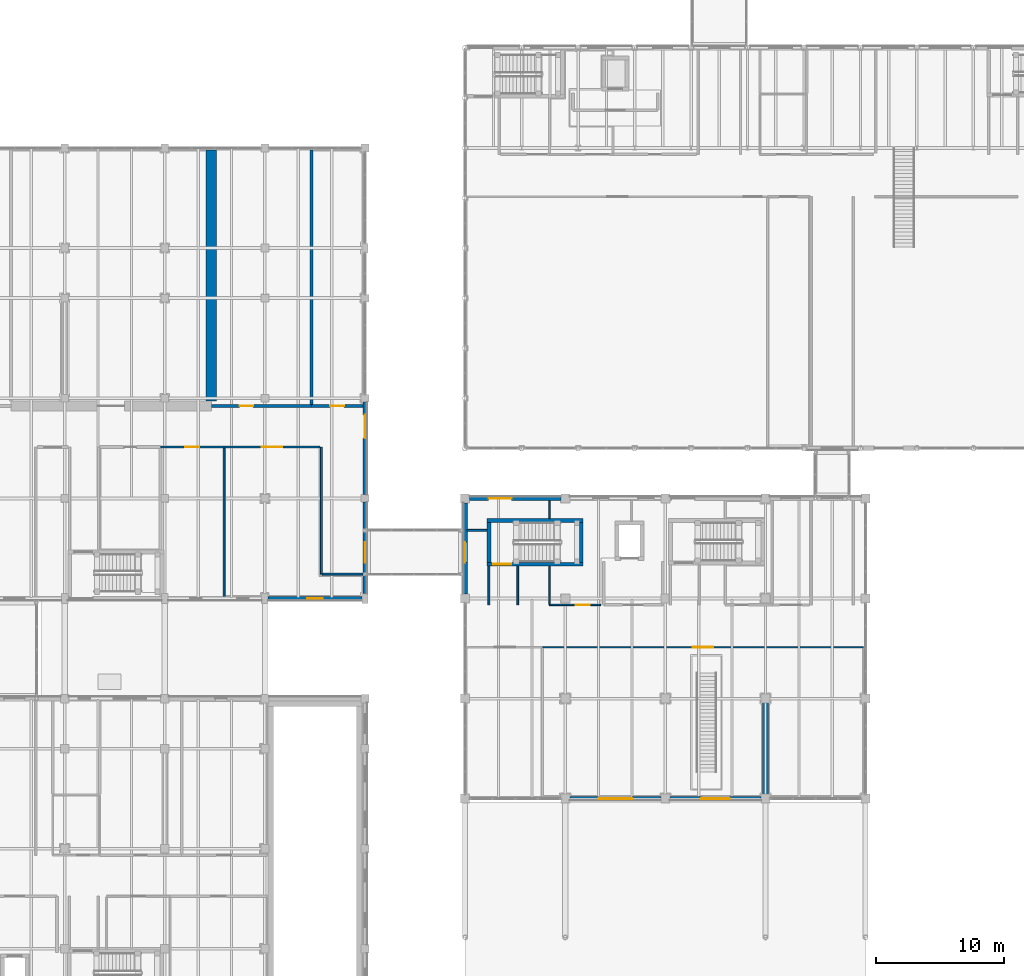
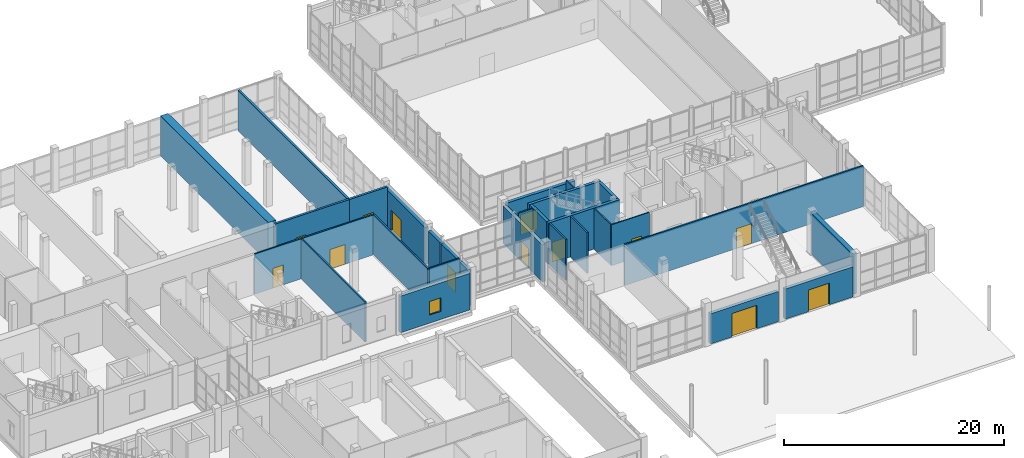
# One storey, part 95 of 131: 30 walls, 13 doors, 1 window, 14 openings.
"""IFC4 building model written with IfcOpenShell, lengths in metres."""

from ifc_helpers import new_model, si_unit, direction, frame, frame_2d, origin, place, context, subcontext, project, spatial, rectangle, extrude, material, layer, layer_set, type_object, element, fill, save


model = new_model("IFC4")

# Units and contexts
model_context = context("Model", 3, precision=1e-05, world=origin(), true_north=direction((0.0, 1.0)))
body_context = subcontext(model_context, "Body", "Model", "MODEL_VIEW")
ifc_project = project(units=[si_unit("LENGTHUNIT", "METRE"), si_unit("AREAUNIT", "SQUARE_METRE"), si_unit("VOLUMEUNIT", "CUBIC_METRE"), si_unit("PLANEANGLEUNIT", "RADIAN"), si_unit("MASSUNIT", "GRAM", prefix="KILO")], contexts=[model_context])

# Site, building, storey
site_placement = place(None, origin())
site = spatial("IfcSite", under=ifc_project, at=site_placement, CompositionType="ELEMENT")
building_placement = place(site_placement, origin())
building = spatial("IfcBuilding", under=site, at=building_placement, Name="Celorna Specialist Clinic", CompositionType="ELEMENT")
storey_placement = place(building_placement, origin())
storey = spatial("IfcBuildingStorey", under=building, at=storey_placement, Name="L00", CompositionType="ELEMENT", Elevation=0.0)

# Walls
ifc_material_1 = material(Name="Concrete C40/50", Category="concrete")
ifc_layer_1 = layer(ifc_material_1, 0.800048828125, Name="Concrete C40/50")
ifc_layer_set_1 = layer_set([ifc_layer_1], Name="Concrete C40/50")
wall_type_1 = type_object("IfcWallType", Name="WT-02", PredefinedType="SOLIDWALL", material=ifc_layer_set_1)
wall_1_placement = place(storey_placement, frame((34.820068359375, 50.5, 0.0), z_axis=(0.0, 0.0, 1.0), x_axis=(0.0, 1.0, 0.0)))
element("IfcWall", 1, at=wall_1_placement, inside=storey, type_object=wall_type_1, Name="Room dividing partition WT-02 L00-034", PredefinedType="SOLIDWALL", context=body_context, shape_type="SweptSolid", body=[
    extrude(rectangle(XDim=19.530029296875, YDim=0.800048828125, at=frame_2d((9.76513671875, 0.0))), origin(), (0.0, 0.0, 1.0), 4.4599609375),
])
ifc_layer_2 = layer(ifc_material_1, 0.449951171875, Name="Concrete C40/50")
ifc_layer_set_2 = layer_set([ifc_layer_2], Name="Concrete C40/50")
wall_type_2 = type_object("IfcWallType", Name="WT-04", PredefinedType="SHEAR", material=ifc_layer_set_2)
wall_2_placement = place(storey_placement, frame((78.0, 19.64990234375, 0.0), z_axis=(0.0, 0.0, 1.0), x_axis=(0.0, 1.0, 0.0)))
element("IfcWall", 2, at=wall_2_placement, inside=storey, type_object=wall_type_2, Name="Structural RC shear wall WT-04 V6 L00", PredefinedType="SHEAR", context=body_context, shape_type="SweptSolid", body=[
    extrude(rectangle(XDim=7.5, YDim=0.449951171875, at=frame_2d((3.75, 0.0))), origin(), (0.0, 0.0, 1.0), 4.5400390625),
])

# Wall, opening, window
ifc_material_2 = material(Name="Pero Pinheiro Lioz limestone insulated masonry", Category="masonry")
ifc_layer_3 = layer(ifc_material_2, 0.340087890625, Name="Pero Pinheiro Lioz limestone insulated masonry")
ifc_layer_set_3 = layer_set([ifc_layer_3], Name="Pero Pinheiro Lioz limestone insulated masonry")
wall_type_3 = type_object("IfcWallType", Name="WT-07", PredefinedType="STANDARD", material=ifc_layer_set_3)
wall_3_placement = place(storey_placement, frame((46.550048828125, 35.10009765625, 0.0), z_axis=(0.0, 0.0, 1.0), x_axis=(-1.0, 0.0, 0.0)))
wall_3 = element("IfcWall", 3, at=wall_3_placement, inside=storey, type_object=wall_type_3, Name="External facade wall WT-07 #107", PredefinedType="STANDARD", context=body_context, shape_type="SweptSolid", body=[
    extrude(rectangle(XDim=7.300048828125, YDim=0.340087890625, at=frame_2d((3.64990234375, 0.0))), origin(), (0.0, 0.0, 1.0), 4.06005859375),
])
opening_1_placement = place(wall_3_placement, frame((3.050048828125, 0.0, 0.89990234375)))
opening_1 = element("IfcOpeningElement", 4, at=opening_1_placement, cuts=wall_3, Name="Opening WN-04", PredefinedType="OPENING", context=body_context, shape_type="SweptSolid", body=[
    extrude(rectangle(XDim=1.199951171875, YDim=1.5, at=frame_2d((0.60009765625, 0.75))), frame((0.0, 0.179931640625, 0.0), z_axis=(0.0, -1.0, 0.0), x_axis=(1.0, 0.0, 0.0)), (0.0, 0.0, 1.0), 0.360107421875),
])
ifc_material_3 = material(Name="Thermally broken aluminium triple-glazed window", Category="aluminium")
window_type = type_object("IfcWindowType", Name="WN-04", PartitioningType="SINGLE_PANEL", PredefinedType="WINDOW", material=ifc_material_3)
window_placement = place(opening_1_placement, origin())
window = element("IfcWindow", 5, at=window_placement, inside=storey, type_object=window_type, Name="Facade window WN-04 #23", OverallHeight=1.5, OverallWidth=1.199951171875, PartitioningType="SINGLE_PANEL", PredefinedType="WINDOW", context=body_context, shape_type="SweptSolid", body=[
    extrude(rectangle(XDim=1.199951171875, YDim=1.5, at=frame_2d((0.60009765625, 0.75))), frame((0.0, 0.030029296875, 0.0), z_axis=(0.0, -1.0, 0.0), x_axis=(1.0, 0.0, 0.0)), (0.0, 0.0, 1.0), 0.06005859375),
])
fill(opening_1, window)

# Wall
wall_4_placement = place(storey_placement, frame((46.800048828125, 42.60009765625, 0.0), z_axis=(0.0, 0.0, 1.0), x_axis=(0.0, -1.0, 0.0)))
element("IfcWall", 6, at=wall_4_placement, inside=storey, type_object=wall_type_3, Name="External facade wall WT-07 #113", PredefinedType="STANDARD", context=body_context, shape_type="SweptSolid", body=[
    extrude(rectangle(XDim=2.10009765625, YDim=0.340087890625, at=frame_2d((1.050048828125, 0.0))), origin(), (0.0, 0.0, 1.0), 4.06005859375),
])

# Wall, opening, door
wall_5_placement = place(storey_placement, frame((46.800048828125, 40.300048828125, 0.0), z_axis=(0.0, 0.0, 1.0), x_axis=(0.0, -1.0, 0.0)))
wall_5 = element("IfcWall", 7, at=wall_5_placement, inside=storey, type_object=wall_type_3, Name="External facade wall WT-07 #114", PredefinedType="STANDARD", context=body_context, shape_type="SweptSolid", body=[
    extrude(rectangle(XDim=3.199951171875, YDim=0.340087890625, at=frame_2d((1.60009765625, 0.0))), origin(), (0.0, 0.0, 1.0), 4.06005859375),
])
opening_2_placement = place(wall_5_placement, frame((0.800048828125, 0.0, 0.0)))
opening_2 = element("IfcOpeningElement", 8, at=opening_2_placement, cuts=wall_5, Name="Opening DR-12", PredefinedType="OPENING", context=body_context, shape_type="SweptSolid", body=[
    extrude(rectangle(XDim=1.60009765625, YDim=2.199951171875, at=frame_2d((0.800048828125, 1.10009765625))), frame((0.0, 0.179931640625, 0.0), z_axis=(0.0, -1.0, 0.0), x_axis=(1.0, 0.0, 0.0)), (0.0, 0.0, 1.0), 0.360107421875),
])
ifc_material_4 = material(Name="Corridor cross-compartment pair door")
door_type_1 = type_object("IfcDoorType", Name="DR-12", OperationType="DOUBLE_DOOR_SINGLE_SWING", PredefinedType="DOOR", material=ifc_material_4)
door_1_placement = place(opening_2_placement, origin())
door_1 = element("IfcDoor", 9, at=door_1_placement, inside=storey, type_object=door_type_1, Name="Bridge BR-02 south/west portal door L00", OperationType="DOUBLE_DOOR_SINGLE_SWING", OverallHeight=2.199951171875, OverallWidth=1.60009765625, PredefinedType="DOOR", context=body_context, shape_type="SweptSolid", body=[
    extrude(rectangle(XDim=1.60009765625, YDim=2.199951171875, at=frame_2d((0.800048828125, 1.10009765625))), frame((0.0, 0.02490234375, 0.0), z_axis=(0.0, -1.0, 0.0), x_axis=(1.0, 0.0, 0.0)), (0.0, 0.0, 1.0), 0.050048828125),
])
fill(opening_2, door_1)

# Wall
wall_6_placement = place(storey_placement, frame((46.800048828125, 36.89990234375, 0.0), z_axis=(0.0, 0.0, 1.0), x_axis=(0.0, -1.0, 0.0)))
element("IfcWall", 10, at=wall_6_placement, inside=storey, type_object=wall_type_3, Name="External facade wall WT-07 #115", PredefinedType="STANDARD", context=body_context, shape_type="SweptSolid", body=[
    extrude(rectangle(XDim=1.4248046875, YDim=0.340087890625, at=frame_2d((0.71240234375, 0.0))), origin(), (0.0, 0.0, 1.0), 4.06005859375),
])

# Wall, opening, door
wall_7_placement = place(storey_placement, frame((46.800048828125, 50.39990234375, 0.0), z_axis=(0.0, 0.0, 1.0), x_axis=(0.0, -1.0, 0.0)))
wall_7 = element("IfcWall", 11, at=wall_7_placement, inside=storey, type_object=wall_type_3, Name="External facade wall WT-07 #116", PredefinedType="STANDARD", context=body_context, shape_type="SweptSolid", body=[
    extrude(rectangle(XDim=7.199951171875, YDim=0.340087890625, at=frame_2d((3.60009765625, 0.0))), origin(), (0.0, 0.0, 1.0), 4.06005859375),
])
opening_3_placement = place(wall_7_placement, frame((1.0, 0.0, 0.0)))
opening_3 = element("IfcOpeningElement", 12, at=opening_3_placement, cuts=wall_7, Name="Opening DR-14", PredefinedType="OPENING", context=body_context, shape_type="SweptSolid", body=[
    extrude(rectangle(XDim=1.800048828125, YDim=2.25, at=frame_2d((0.89990234375, 1.125))), frame((0.0, 0.179931640625, 0.0), z_axis=(0.0, -1.0, 0.0), x_axis=(1.0, 0.0, 0.0)), (0.0, 0.0, 1.0), 0.360107421875),
])
ifc_material_5 = material(Name="Glazed aluminium final exit double door", Category="aluminium")
door_type_2 = type_object("IfcDoorType", Name="DR-14", OperationType="DOUBLE_DOOR_SINGLE_SWING", PredefinedType="DOOR", material=ifc_material_5)
door_2_placement = place(opening_3_placement, origin())
door_2 = element("IfcDoor", 13, at=door_2_placement, inside=storey, type_object=door_type_2, Name="Imaging cloister entrance E19", OperationType="DOUBLE_DOOR_SINGLE_SWING", OverallHeight=2.25, OverallWidth=1.800048828125, PredefinedType="DOOR", context=body_context, shape_type="SweptSolid", body=[
    extrude(rectangle(XDim=1.800048828125, YDim=2.25, at=frame_2d((0.89990234375, 1.125))), frame((0.0, 0.02490234375, 0.0), z_axis=(0.0, -1.0, 0.0), x_axis=(1.0, 0.0, 0.0)), (0.0, 0.0, 1.0), 0.050048828125),
])
fill(opening_3, door_2)

wall_8_placement = place(storey_placement, frame((69.85009765625, 19.5, 0.0), z_axis=(0.0, 0.0, 1.0), x_axis=(-1.0, 0.0, 0.0)))
wall_8 = element("IfcWall", 14, at=wall_8_placement, inside=storey, type_object=wall_type_3, Name="External facade wall WT-07 #378", PredefinedType="STANDARD", context=body_context, shape_type="SweptSolid", body=[
    extrude(rectangle(XDim=7.10009765625, YDim=0.340087890625, at=frame_2d((3.550048828125, 0.0))), origin(), (0.0, 0.0, 1.0), 3.35009765625),
])
opening_4_placement = place(wall_8_placement, frame((2.25, 0.0, 0.0)))
opening_4 = element("IfcOpeningElement", 15, at=opening_4_placement, cuts=wall_8, Name="Opening DR-16", PredefinedType="OPENING", context=body_context, shape_type="SweptSolid", body=[
    extrude(rectangle(XDim=2.60009765625, YDim=2.60009765625, at=frame_2d((1.300048828125, 1.300048828125))), frame((0.0, 0.179931640625, 0.0), z_axis=(0.0, -1.0, 0.0), x_axis=(1.0, 0.0, 0.0)), (0.0, 0.0, 1.0), 0.360107421875),
])
ifc_material_6 = material(Name="Boulevard main entrance glazed double door")
door_type_3 = type_object("IfcDoorType", Name="DR-16", OperationType="DOUBLE_DOOR_SINGLE_SWING", PredefinedType="DOOR", material=ifc_material_6)
door_3_placement = place(opening_4_placement, origin())
door_3 = element("IfcDoor", 16, at=door_3_placement, inside=storey, type_object=door_type_3, Name="Main entrance E14", OperationType="DOUBLE_DOOR_SINGLE_SWING", OverallHeight=2.60009765625, OverallWidth=2.60009765625, PredefinedType="DOOR", context=body_context, shape_type="SweptSolid", body=[
    extrude(rectangle(XDim=2.60009765625, YDim=2.60009765625, at=frame_2d((1.300048828125, 1.300048828125))), frame((0.0, 0.02490234375, 0.0), z_axis=(0.0, -1.0, 0.0), x_axis=(1.0, 0.0, 0.0)), (0.0, 0.0, 1.0), 0.050048828125),
])
fill(opening_4, door_3)

wall_9_placement = place(storey_placement, frame((77.64990234375, 19.5, 0.0), z_axis=(0.0, 0.0, 1.0), x_axis=(-1.0, 0.0, 0.0)))
wall_9 = element("IfcWall", 17, at=wall_9_placement, inside=storey, type_object=wall_type_3, Name="External facade wall WT-07 #379", PredefinedType="STANDARD", context=body_context, shape_type="SweptSolid", body=[
    extrude(rectangle(XDim=7.099853515625, YDim=0.340087890625, at=frame_2d((3.5498046875, 0.0))), origin(), (0.0, 0.0, 1.0), 3.35009765625),
])
opening_5_placement = place(wall_9_placement, frame((2.449951171875, 0.0, 0.0)))
opening_5 = element("IfcOpeningElement", 18, at=opening_5_placement, cuts=wall_9, Name="Opening DR-15", PredefinedType="OPENING", context=body_context, shape_type="SweptSolid", body=[
    extrude(rectangle(XDim=2.199951171875, YDim=2.39990234375, at=frame_2d((1.10009765625, 1.199951171875))), frame((0.0, 0.179931640625, 0.0), z_axis=(0.0, -1.0, 0.0), x_axis=(1.0, 0.0, 0.0)), (0.0, 0.0, 1.0), 0.360107421875),
])
ifc_material_7 = material(Name="Cloister entrance glazed double door")
door_type_4 = type_object("IfcDoorType", Name="DR-15", OperationType="DOUBLE_DOOR_SINGLE_SWING", PredefinedType="DOOR", material=ifc_material_7)
door_4_placement = place(opening_5_placement, origin())
door_4 = element("IfcDoor", 19, at=door_4_placement, inside=storey, type_object=door_type_4, Name="Main entrance E15", OperationType="DOUBLE_DOOR_SINGLE_SWING", OverallHeight=2.39990234375, OverallWidth=2.199951171875, PredefinedType="DOOR", context=body_context, shape_type="SweptSolid", body=[
    extrude(rectangle(XDim=2.199951171875, YDim=2.39990234375, at=frame_2d((1.10009765625, 1.199951171875))), frame((0.0, 0.02490234375, 0.0), z_axis=(0.0, -1.0, 0.0), x_axis=(1.0, 0.0, 0.0)), (0.0, 0.0, 1.0), 0.050048828125),
])
fill(opening_5, door_4)

wall_10_placement = place(storey_placement, frame((54.949951171875, 42.89990234375, 0.0), z_axis=(0.0, 0.0, 1.0), x_axis=(1.0, 0.0, 0.0)))
wall_10 = element("IfcWall", 20, at=wall_10_placement, inside=storey, type_object=wall_type_3, Name="External facade wall WT-07 #380", PredefinedType="STANDARD", context=body_context, shape_type="SweptSolid", body=[
    extrude(rectangle(XDim=7.10009765625, YDim=0.340087890625, at=frame_2d((3.550048828125, 0.0))), origin(), (0.0, 0.0, 1.0), 4.139892578125),
])
opening_6_placement = place(wall_10_placement, frame((1.469970703125, 0.0, 0.0)))
opening_6 = element("IfcOpeningElement", 21, at=opening_6_placement, cuts=wall_10, Name="Opening DR-14", PredefinedType="OPENING", context=body_context, shape_type="SweptSolid", body=[
    extrude(rectangle(XDim=1.800048828125, YDim=2.25, at=frame_2d((0.89990234375, 1.125))), frame((0.0, 0.179931640625, 0.0), z_axis=(0.0, -1.0, 0.0), x_axis=(1.0, 0.0, 0.0)), (0.0, 0.0, 1.0), 0.360107421875),
])
door_5_placement = place(opening_6_placement, origin())
door_5 = element("IfcDoor", 22, at=door_5_placement, inside=storey, type_object=door_type_2, Name="Pedestrian final exit E08", OperationType="DOUBLE_DOOR_SINGLE_SWING", OverallHeight=2.25, OverallWidth=1.800048828125, PredefinedType="DOOR", context=body_context, shape_type="SweptSolid", body=[
    extrude(rectangle(XDim=1.800048828125, YDim=2.25, at=frame_2d((0.89990234375, 1.125))), frame((0.0, 0.02490234375, 0.0), z_axis=(0.0, -1.0, 0.0), x_axis=(1.0, 0.0, 0.0)), (0.0, 0.0, 1.0), 0.050048828125),
])
fill(opening_6, door_5)

wall_11_placement = place(storey_placement, frame((54.60009765625, 35.449951171875, 0.0), z_axis=(0.0, 0.0, 1.0), x_axis=(0.0, 1.0, 0.0)))
wall_11 = element("IfcWall", 23, at=wall_11_placement, inside=storey, type_object=wall_type_3, Name="External facade wall WT-07 #386", PredefinedType="STANDARD", context=body_context, shape_type="SweptSolid", body=[
    extrude(rectangle(XDim=7.10009765625, YDim=0.340087890625, at=frame_2d((3.550048828125, 0.0))), origin(), (0.0, 0.0, 1.0), 4.139892578125),
])
opening_7_placement = place(wall_11_placement, frame((2.449951171875, 0.0, 0.0)))
opening_7 = element("IfcOpeningElement", 24, at=opening_7_placement, cuts=wall_11, Name="Opening DR-12", PredefinedType="OPENING", context=body_context, shape_type="SweptSolid", body=[
    extrude(rectangle(XDim=1.60009765625, YDim=2.199951171875, at=frame_2d((0.800048828125, 1.10009765625))), frame((0.0, 0.179931640625, 0.0), z_axis=(0.0, -1.0, 0.0), x_axis=(1.0, 0.0, 0.0)), (0.0, 0.0, 1.0), 0.360107421875),
])
door_6_placement = place(opening_7_placement, frame((1.60009765625, 0.0, 0.0), z_axis=(0.0, 0.0, 1.0), x_axis=(-1.0, 0.0, 0.0)))
door_6 = element("IfcDoor", 25, at=door_6_placement, inside=storey, type_object=door_type_1, Name="Bridge BR-02 north/east portal door L00", OperationType="DOUBLE_DOOR_SINGLE_SWING", OverallHeight=2.199951171875, OverallWidth=1.60009765625, PredefinedType="DOOR", context=body_context, shape_type="SweptSolid", body=[
    extrude(rectangle(XDim=1.60009765625, YDim=2.199951171875, at=frame_2d((0.800048828125, 1.10009765625))), frame((0.0, 0.02490234375, 0.0), z_axis=(0.0, -1.0, 0.0), x_axis=(1.0, 0.0, 0.0)), (0.0, 0.0, 1.0), 0.050048828125),
])
fill(opening_7, door_6)

ifc_material_8 = material(Name="Concrete C35/45", Category="concrete")
ifc_layer_4 = layer(ifc_material_8, 0.300048828125, Name="Concrete C35/45")
ifc_layer_set_4 = layer_set([ifc_layer_4], Name="Concrete C35/45")
wall_type_4 = type_object("IfcWallType", Name="WT-08", PredefinedType="SHEAR", material=ifc_layer_set_4)
wall_12_placement = place(storey_placement, frame((56.300048828125, 37.77001953125, 0.0), z_axis=(0.0, 0.0, 1.0), x_axis=(1.0, 0.0, 0.0)))
wall_12 = element("IfcWall", 26, at=wall_12_placement, inside=storey, type_object=wall_type_4, Name="Stair ST-08 RC core wall L00 south", PredefinedType="SHEAR", context=body_context, shape_type="SweptSolid", body=[
    extrude(rectangle(XDim=7.5, YDim=0.300048828125, at=frame_2d((3.75, 0.0))), origin(), (0.0, 0.0, 1.0), 4.5400390625),
])
opening_8_placement = place(wall_12_placement, frame((0.5, 0.0, 0.0)))
opening_8 = element("IfcOpeningElement", 27, at=opening_8_placement, cuts=wall_12, Name="Opening DR-10", PredefinedType="OPENING", context=body_context, shape_type="SweptSolid", body=[
    extrude(rectangle(XDim=1.39990234375, YDim=2.199951171875, at=frame_2d((0.699951171875, 1.10009765625))), frame((0.0, 0.159912109375, 0.0), z_axis=(0.0, -1.0, 0.0), x_axis=(1.0, 0.0, 0.0)), (0.0, 0.0, 1.0), 0.320068359375),
])
ifc_material_9 = material(Name="Protected exit stair fire door")
door_type_5 = type_object("IfcDoorType", Name="DR-10", OperationType="NOTDEFINED", PredefinedType="DOOR", material=ifc_material_9)
door_7_placement = place(opening_8_placement, origin())
door_7 = element("IfcDoor", 28, at=door_7_placement, inside=storey, type_object=door_type_5, Name="Protected exit stair door ST-08 L00", OperationType="SINGLE_SWING_LEFT", OverallHeight=2.199951171875, OverallWidth=1.39990234375, PredefinedType="DOOR", context=body_context, shape_type="SweptSolid", body=[
    extrude(rectangle(XDim=1.39990234375, YDim=2.199951171875, at=frame_2d((0.699951171875, 1.10009765625))), frame((0.0, 0.02490234375, 0.0), z_axis=(0.0, -1.0, 0.0), x_axis=(1.0, 0.0, 0.0)), (0.0, 0.0, 1.0), 0.050048828125),
])
fill(opening_8, door_7)

# Walls
wall_13_placement = place(storey_placement, frame((63.800048828125, 41.169921875, 0.0), z_axis=(0.0, 0.0, 1.0), x_axis=(-1.0, 0.0, 0.0)))
element("IfcWall", 29, at=wall_13_placement, inside=storey, type_object=wall_type_4, Name="Stair ST-08 RC core wall L00 north", PredefinedType="SHEAR", context=body_context, shape_type="SweptSolid", body=[
    extrude(rectangle(XDim=7.5, YDim=0.300048828125, at=frame_2d((3.75, 0.0))), origin(), (0.0, 0.0, 1.0), 4.5400390625),
])
for number, where, z_axis, x_axis, name in (
    (30, (56.449951171875, 41.02001953125, 0.0), (0.0, 0.0, 1.0), (0.0, -1.0, 0.0), "Stair ST-08 RC core wall L00 west"),
    (31, (63.64990234375, 37.919921875, 0.0), (0.0, 0.0, 1.0), (0.0, 1.0, 0.0), "Stair ST-08 RC core wall L00 east"),
):
    element("IfcWall", number, at=place(storey_placement, frame(where, z_axis=z_axis, x_axis=x_axis)), inside=storey, type_object=wall_type_4, Name=name, PredefinedType="SHEAR", context=body_context, shape_type="SweptSolid", body=[
        extrude(rectangle(XDim=3.10009765625, YDim=0.300048828125, at=frame_2d((1.550048828125, 0.0))), origin(), (0.0, 0.0, 1.0), 4.5400390625),
    ])

# Wall, opening, door
ifc_material_10 = material(Name="Lead-lined gypsum and masonry partition", Category="masonry")
ifc_layer_5 = layer(ifc_material_10, 0.219970703125, Name="Lead-lined gypsum and masonry partition")
ifc_layer_set_5 = layer_set([ifc_layer_5], Name="Lead-lined gypsum and masonry partition")
wall_type_5 = type_object("IfcWallType", Name="WT-11", PredefinedType="PARTITIONING", material=ifc_layer_set_5)
wall_14_placement = place(storey_placement, frame((34.820068359375, 50.10009765625, 0.0), z_axis=(0.0, 0.0, 1.0), x_axis=(1.0, 0.0, 0.0)))
wall_14 = element("IfcWall", 32, at=wall_14_placement, inside=storey, type_object=wall_type_5, Name="Interior partition WT-11 L00-035", PredefinedType="PARTITIONING", context=body_context, shape_type="SweptSolid", body=[
    extrude(rectangle(XDim=7.800048828125, YDim=0.219970703125, at=frame_2d((3.89990234375, 0.0))), origin(), (0.0, 0.0, 1.0), 4.4599609375),
])
opening_9_placement = place(wall_14_placement, frame((2.205078125, 0.0, 0.0)))
opening_9 = element("IfcOpeningElement", 33, at=opening_9_placement, cuts=wall_14, Name="Opening DR-05", PredefinedType="OPENING", context=body_context, shape_type="SweptSolid", body=[
    extrude(rectangle(XDim=1.050048828125, YDim=2.14990234375, at=frame_2d((0.52490234375, 1.074951171875))), frame((0.0, 0.119873046875, 0.0), z_axis=(0.0, -1.0, 0.0), x_axis=(1.0, 0.0, 0.0)), (0.0, 0.0, 1.0), 0.239990234375),
])
ifc_material_11 = material(Name="Timber examination room door", Category="wood")
door_type_6 = type_object("IfcDoorType", Name="DR-05", OperationType="NOTDEFINED", PredefinedType="DOOR", material=ifc_material_11)
door_8_placement = place(opening_9_placement, origin())
door_8 = element("IfcDoor", 34, at=door_8_placement, inside=storey, type_object=door_type_6, Name="CT Diagnostic Imaging Suite door L00-035", OperationType="SINGLE_SWING_RIGHT", OverallHeight=2.14990234375, OverallWidth=1.050048828125, PredefinedType="DOOR", context=body_context, shape_type="SweptSolid", body=[
    extrude(rectangle(XDim=1.050048828125, YDim=2.14990234375, at=frame_2d((0.52490234375, 1.074951171875))), frame((0.0, 0.02490234375, 0.0), z_axis=(0.0, -1.0, 0.0), x_axis=(1.0, 0.0, 0.0)), (0.0, 0.0, 1.0), 0.050048828125),
])
fill(opening_9, door_8)

wall_15_placement = place(storey_placement, frame((42.6201171875, 50.10009765625, 0.0), z_axis=(0.0, 0.0, 1.0), x_axis=(1.0, 0.0, 0.0)))
wall_15 = element("IfcWall", 35, at=wall_15_placement, inside=storey, type_object=wall_type_5, Name="Interior partition WT-11 L00-036", PredefinedType="PARTITIONING", context=body_context, shape_type="SweptSolid", body=[
    extrude(rectangle(XDim=4.009765625, YDim=0.219970703125, at=frame_2d((2.0048828125, 0.0))), origin(), (0.0, 0.0, 1.0), 4.4599609375),
])
opening_10_placement = place(wall_15_placement, frame((1.455078125, 0.0, 0.0)))
opening_10 = element("IfcOpeningElement", 36, at=opening_10_placement, cuts=wall_15, Name="Opening DR-06", PredefinedType="OPENING", context=body_context, shape_type="SweptSolid", body=[
    extrude(rectangle(XDim=1.10009765625, YDim=2.14990234375, at=frame_2d((0.550048828125, 1.074951171875))), frame((0.0, 0.119873046875, 0.0), z_axis=(0.0, -1.0, 0.0), x_axis=(1.0, 0.0, 0.0)), (0.0, 0.0, 1.0), 0.239990234375),
])
ifc_material_12 = material(Name="Clinical treatment suite door")
door_type_7 = type_object("IfcDoorType", Name="DR-06", OperationType="NOTDEFINED", PredefinedType="DOOR", material=ifc_material_12)
door_9_placement = place(opening_10_placement, origin())
door_9 = element("IfcDoor", 37, at=door_9_placement, inside=storey, type_object=door_type_7, Name="Imaging Control and Reporting Room door L00-036", OperationType="SINGLE_SWING_LEFT", OverallHeight=2.14990234375, OverallWidth=1.10009765625, PredefinedType="DOOR", context=body_context, shape_type="SweptSolid", body=[
    extrude(rectangle(XDim=1.10009765625, YDim=2.14990234375, at=frame_2d((0.550048828125, 1.074951171875))), frame((0.0, 0.02490234375, 0.0), z_axis=(0.0, -1.0, 0.0), x_axis=(1.0, 0.0, 0.0)), (0.0, 0.0, 1.0), 0.050048828125),
])
fill(opening_10, door_9)

# Walls
wall_16_placement = place(storey_placement, frame((42.6201171875, 50.2099609375, 0.0), z_axis=(0.0, 0.0, 1.0), x_axis=(0.0, 1.0, 0.0)))
element("IfcWall", 38, at=wall_16_placement, inside=storey, type_object=wall_type_5, Name="Room dividing partition WT-11 L00-035", PredefinedType="PARTITIONING", context=body_context, shape_type="SweptSolid", body=[
    extrude(rectangle(XDim=19.820068359375, YDim=0.219970703125, at=frame_2d((9.91015625, 0.0))), origin(), (0.0, 0.0, 1.0), 4.4599609375),
])
ifc_material_13 = material(Name="Fire-rated gypsum board partition")
ifc_layer_6 = layer(ifc_material_13, 0.14990234375, Name="Fire-rated gypsum board partition")
ifc_layer_set_6 = layer_set([ifc_layer_6], Name="Fire-rated gypsum board partition")
wall_type_6 = type_object("IfcWallType", Name="WT-14", PredefinedType="PARTITIONING", material=ifc_layer_set_6)
wall_17_placement = place(storey_placement, frame((43.39990234375, 37.0, 0.0), z_axis=(0.0, 0.0, 1.0), x_axis=(0.0, 1.0, 0.0)))
element("IfcWall", 39, at=wall_17_placement, inside=storey, type_object=wall_type_6, Name="Corridor spur partition WT-14", PredefinedType="PARTITIONING", context=body_context, shape_type="SweptSolid", body=[
    extrude(rectangle(XDim=9.89990234375, YDim=0.14990234375, at=frame_2d((4.949951171875, 0.0))), origin(), (0.0, 0.0, 1.0), 4.4599609375),
])
wall_18_placement = place(storey_placement, frame((43.47509765625, 37.0, 0.0), z_axis=(0.0, 0.0, 1.0), x_axis=(1.0, 0.0, 0.0)))
element("IfcWall", 40, at=wall_18_placement, inside=storey, type_object=wall_type_6, Name="Corridor spur partition WT-14", PredefinedType="PARTITIONING", context=body_context, shape_type="SweptSolid", body=[
    extrude(rectangle(XDim=3.15478515625, YDim=0.14990234375, at=frame_2d((1.577392578125, 0.0))), origin(), (0.0, 0.0, 1.0), 4.4599609375),
])
for number, where, z_axis, x_axis, name in (
    (41, (56.449951171875, 34.60009765625, 0.0), (0.0, 0.0, 1.0), (0.0, 1.0, 0.0), "Corridor spur partition WT-14"),
    (42, (58.699951171875, 34.60009765625, 0.0), (0.0, 0.0, 1.0), (0.0, 1.0, 0.0), "Corridor spur partition WT-14"),
):
    element("IfcWall", number, at=place(storey_placement, frame(where, z_axis=z_axis, x_axis=x_axis)), inside=storey, type_object=wall_type_6, Name=name, PredefinedType="PARTITIONING", context=body_context, shape_type="SweptSolid", body=[
        extrude(rectangle(XDim=3.02001953125, YDim=0.14990234375, at=frame_2d((1.510009765625, 0.0))), origin(), (0.0, 0.0, 1.0), 4.5400390625),
    ])
wall_19_placement = place(storey_placement, frame((54.77001953125, 40.39990234375, 0.0), z_axis=(0.0, 0.0, 1.0), x_axis=(1.0, 0.0, 0.0)))
element("IfcWall", 43, at=wall_19_placement, inside=storey, type_object=wall_type_6, Name="Corridor spur partition WT-14", PredefinedType="PARTITIONING", context=body_context, shape_type="SweptSolid", body=[
    extrude(rectangle(XDim=1.530029296875, YDim=0.14990234375, at=frame_2d((0.76513671875, 0.0))), origin(), (0.0, 0.0, 1.0), 4.5400390625),
])

# Wall, opening, door
wall_20_placement = place(storey_placement, frame((35.820068359375, 46.89990234375, 0.0), z_axis=(0.0, 0.0, 1.0), x_axis=(-1.0, 0.0, 0.0)))
wall_20 = element("IfcWall", 44, at=wall_20_placement, inside=storey, type_object=wall_type_6, Name="Interior partition WT-14 L00-029", PredefinedType="PARTITIONING", context=body_context, shape_type="SweptSolid", body=[
    extrude(rectangle(XDim=4.949951171875, YDim=0.14990234375, at=frame_2d((2.47509765625, 0.0))), origin(), (0.0, 0.0, 1.0), 4.4599609375),
])
opening_11_placement = place(wall_20_placement, frame((1.93505859375, 0.0, 0.0)))
opening_11 = element("IfcOpeningElement", 45, at=opening_11_placement, cuts=wall_20, Name="Opening DR-21", PredefinedType="OPENING", context=body_context, shape_type="SweptSolid", body=[
    extrude(rectangle(XDim=1.080078125, YDim=2.199951171875, at=frame_2d((0.5400390625, 1.10009765625))), frame((0.0, 0.0849609375, 0.0), z_axis=(0.0, -1.0, 0.0), x_axis=(1.0, 0.0, 0.0)), (0.0, 0.0, 1.0), 0.169921875),
])
ifc_material_14 = material(Name="Timber outpatient suite door", Category="wood")
door_type_8 = type_object("IfcDoorType", Name="DR-21", OperationType="NOTDEFINED", PredefinedType="DOOR", material=ifc_material_14)
door_10_placement = place(opening_11_placement, origin())
door_10 = element("IfcDoor", 46, at=door_10_placement, inside=storey, type_object=door_type_8, Name="Patient Cannulation Preparation Room door L00-029", OperationType="SINGLE_SWING_RIGHT", OverallHeight=2.199951171875, OverallWidth=1.080078125, PredefinedType="DOOR", context=body_context, shape_type="SweptSolid", body=[
    extrude(rectangle(XDim=1.080078125, YDim=2.199951171875, at=frame_2d((0.5400390625, 1.10009765625))), frame((0.0, 0.02490234375, 0.0), z_axis=(0.0, -1.0, 0.0), x_axis=(1.0, 0.0, 0.0)), (0.0, 0.0, 1.0), 0.050048828125),
])
fill(opening_11, door_10)

wall_21_placement = place(storey_placement, frame((43.280029296875, 46.89990234375, 0.0), z_axis=(0.0, 0.0, 1.0), x_axis=(-1.0, 0.0, 0.0)))
wall_21 = element("IfcWall", 47, at=wall_21_placement, inside=storey, type_object=wall_type_6, Name="Interior partition WT-14 L00-030", PredefinedType="PARTITIONING", context=body_context, shape_type="SweptSolid", body=[
    extrude(rectangle(XDim=7.4599609375, YDim=0.14990234375, at=frame_2d((3.72998046875, 0.0))), origin(), (0.0, 0.0, 1.0), 4.4599609375),
])
opening_12_placement = place(wall_21_placement, frame((2.93505859375, 0.0, 0.0)))
opening_12 = element("IfcOpeningElement", 48, at=opening_12_placement, cuts=wall_21, Name="Opening DR-12", PredefinedType="OPENING", context=body_context, shape_type="SweptSolid", body=[
    extrude(rectangle(XDim=1.60009765625, YDim=2.199951171875, at=frame_2d((0.800048828125, 1.10009765625))), frame((0.0, 0.0849609375, 0.0), z_axis=(0.0, -1.0, 0.0), x_axis=(1.0, 0.0, 0.0)), (0.0, 0.0, 1.0), 0.169921875),
])
door_11_placement = place(opening_12_placement, origin())
door_11 = element("IfcDoor", 49, at=door_11_placement, inside=storey, type_object=door_type_1, Name="Radiology Sub-Waiting Lounge door L00-030", OperationType="DOUBLE_DOOR_SINGLE_SWING", OverallHeight=2.199951171875, OverallWidth=1.60009765625, PredefinedType="DOOR", context=body_context, shape_type="SweptSolid", body=[
    extrude(rectangle(XDim=1.60009765625, YDim=2.199951171875, at=frame_2d((0.800048828125, 1.10009765625))), frame((0.0, 0.02490234375, 0.0), z_axis=(0.0, -1.0, 0.0), x_axis=(1.0, 0.0, 0.0)), (0.0, 0.0, 1.0), 0.050048828125),
])
fill(opening_12, door_11)

wall_22_placement = place(storey_placement, frame((85.6298828125, 31.300048828125, 0.0), z_axis=(0.0, 0.0, 1.0), x_axis=(-1.0, 0.0, 0.0)))
wall_22 = element("IfcWall", 50, at=wall_22_placement, inside=storey, type_object=wall_type_6, Name="Interior partition WT-14 L00-103", PredefinedType="PARTITIONING", context=body_context, shape_type="SweptSolid", body=[
    extrude(rectangle(XDim=25.009765625, YDim=0.14990234375, at=frame_2d((12.5048828125, 0.0))), origin(), (0.0, 0.0, 1.0), 4.5400390625),
])
opening_13_placement = place(wall_22_placement, frame((11.705078125, 0.0, 0.0)))
opening_13 = element("IfcOpeningElement", 51, at=opening_13_placement, cuts=wall_22, Name="Opening DR-12", PredefinedType="OPENING", context=body_context, shape_type="SweptSolid", body=[
    extrude(rectangle(XDim=1.60009765625, YDim=2.199951171875, at=frame_2d((0.800048828125, 1.10009765625))), frame((0.0, 0.0849609375, 0.0), z_axis=(0.0, -1.0, 0.0), x_axis=(1.0, 0.0, 0.0)), (0.0, 0.0, 1.0), 0.169921875),
])
door_12_placement = place(opening_13_placement, origin())
door_12 = element("IfcDoor", 52, at=door_12_placement, inside=storey, type_object=door_type_1, Name="Patient Admissions and Reception Hall door L00-103", OperationType="DOUBLE_DOOR_SINGLE_SWING", OverallHeight=2.199951171875, OverallWidth=1.60009765625, PredefinedType="DOOR", context=body_context, shape_type="SweptSolid", body=[
    extrude(rectangle(XDim=1.60009765625, YDim=2.199951171875, at=frame_2d((0.800048828125, 1.10009765625))), frame((0.0, 0.02490234375, 0.0), z_axis=(0.0, -1.0, 0.0), x_axis=(1.0, 0.0, 0.0)), (0.0, 0.0, 1.0), 0.050048828125),
])
fill(opening_13, door_12)

# Wall
wall_23_placement = place(storey_placement, frame((35.820068359375, 35.27001953125, 0.0), z_axis=(0.0, 0.0, 1.0), x_axis=(0.0, 1.0, 0.0)))
element("IfcWall", 53, at=wall_23_placement, inside=storey, type_object=wall_type_6, Name="Room dividing partition WT-14 L00-029", PredefinedType="PARTITIONING", context=body_context, shape_type="SweptSolid", body=[
    extrude(rectangle(XDim=11.554931640625, YDim=0.14990234375, at=frame_2d((5.77734375, 0.0))), origin(), (0.0, 0.0, 1.0), 4.4599609375),
])

# Wall, opening, door
ifc_material_15 = material(Name="Acoustic gypsum board partition")
ifc_layer_7 = layer(ifc_material_15, 0.1201171875, Name="Acoustic gypsum board partition")
ifc_layer_set_7 = layer_set([ifc_layer_7], Name="Acoustic gypsum board partition")
wall_type_7 = type_object("IfcWallType", Name="WT-15", PredefinedType="PARTITIONING", material=ifc_layer_set_7)
wall_24_placement = place(storey_placement, frame((61.169921875, 34.60009765625, 0.0), z_axis=(0.0, 0.0, 1.0), x_axis=(1.0, 0.0, 0.0)))
wall_24 = element("IfcWall", 54, at=wall_24_placement, inside=storey, type_object=wall_type_7, Name="Interior partition WT-15 L00-104", PredefinedType="PARTITIONING", context=body_context, shape_type="SweptSolid", body=[
    extrude(rectangle(XDim=3.97998046875, YDim=0.1201171875, at=frame_2d((1.989990234375, 0.0))), origin(), (0.0, 0.0, 1.0), 4.5400390625),
])
opening_14_placement = place(wall_24_placement, frame((2.06005859375, 0.0, 0.0)))
opening_14 = element("IfcOpeningElement", 55, at=opening_14_placement, cuts=wall_24, Name="Opening DR-21", PredefinedType="OPENING", context=body_context, shape_type="SweptSolid", body=[
    extrude(rectangle(XDim=1.080078125, YDim=2.199951171875, at=frame_2d((0.5400390625, 1.10009765625))), frame((0.0, 0.070068359375, 0.0), z_axis=(0.0, -1.0, 0.0), x_axis=(1.0, 0.0, 0.0)), (0.0, 0.0, 1.0), 0.14013671875),
])
door_13_placement = place(opening_14_placement, origin())
door_13 = element("IfcDoor", 56, at=door_13_placement, inside=storey, type_object=door_type_8, Name="Patient Financial Liaison Room door L00-104", OperationType="SINGLE_SWING_RIGHT", OverallHeight=2.199951171875, OverallWidth=1.080078125, PredefinedType="DOOR", context=body_context, shape_type="SweptSolid", body=[
    extrude(rectangle(XDim=1.080078125, YDim=2.199951171875, at=frame_2d((0.5400390625, 1.10009765625))), frame((0.0, 0.02490234375, 0.0), z_axis=(0.0, -1.0, 0.0), x_axis=(1.0, 0.0, 0.0)), (0.0, 0.0, 1.0), 0.050048828125),
])
fill(opening_14, door_13)

# Walls
wall_25_placement = place(storey_placement, frame((61.169921875, 34.659912109375, 0.0), z_axis=(0.0, 0.0, 1.0), x_axis=(0.0, 1.0, 0.0)))
element("IfcWall", 57, at=wall_25_placement, inside=storey, type_object=wall_type_7, Name="Room dividing partition WT-15 L00-104", PredefinedType="PARTITIONING", context=body_context, shape_type="SweptSolid", body=[
    extrude(rectangle(XDim=2.960205078125, YDim=0.1201171875, at=frame_2d((1.47998046875, 0.0))), origin(), (0.0, 0.0, 1.0), 4.5400390625),
])
wall_26_placement = place(storey_placement, frame((61.169921875, 41.320068359375, 0.0), z_axis=(0.0, 0.0, 1.0), x_axis=(0.0, 1.0, 0.0)))
element("IfcWall", 58, at=wall_26_placement, inside=storey, type_object=wall_type_7, Name="Room dividing partition WT-15 L00-104", PredefinedType="PARTITIONING", context=body_context, shape_type="SweptSolid", body=[
    extrude(rectangle(XDim=1.409912109375, YDim=0.1201171875, at=frame_2d((0.705078125, 0.0))), origin(), (0.0, 0.0, 1.0), 4.5400390625),
])

save(model, "model.ifc")
